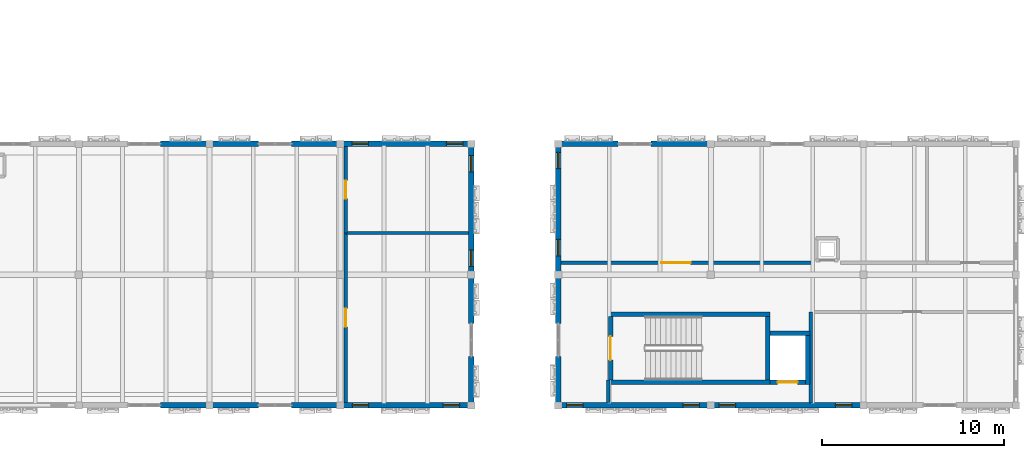
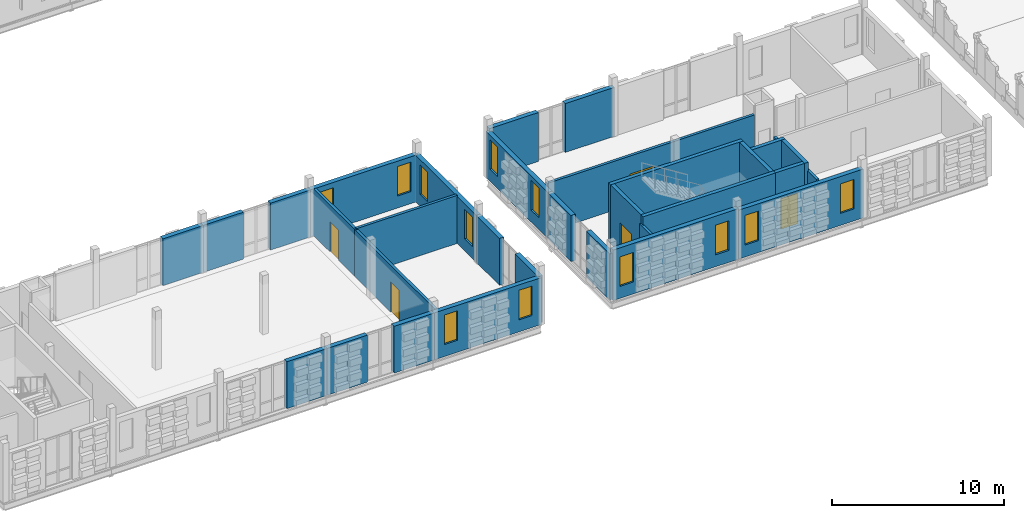
# One storey, part 55 of 81: 31 walls, 12 windows, 5 doors, 17 openings.
"""IFC4 building model written with IfcOpenShell, lengths in metres."""

from ifc_helpers import new_model, si_unit, direction, frame, frame_2d, origin, place, context, subcontext, project, spatial, rectangle, extrude, material, layer, layer_set, type_object, element, fill, save


model = new_model("IFC4")

# Units and contexts
model_context = context("Model", 3, precision=1e-05, world=origin(), true_north=direction((0.0, 1.0)))
body_context = subcontext(model_context, "Body", "Model", "MODEL_VIEW")
ifc_project = project(units=[si_unit("LENGTHUNIT", "METRE"), si_unit("AREAUNIT", "SQUARE_METRE"), si_unit("VOLUMEUNIT", "CUBIC_METRE"), si_unit("PLANEANGLEUNIT", "RADIAN"), si_unit("MASSUNIT", "GRAM", prefix="KILO")], contexts=[model_context])

# Site, building, storey
site_placement = place(None, origin())
site = spatial("IfcSite", under=ifc_project, at=site_placement, CompositionType="ELEMENT")
building_placement = place(site_placement, origin())
building = spatial("IfcBuilding", under=site, at=building_placement, Name="Kahlenmark Community Centre", CompositionType="ELEMENT")
storey_placement = place(building_placement, frame((0.0, 0.0, 9.60009765625)))
storey = spatial("IfcBuildingStorey", under=building, at=storey_placement, Name="L02", CompositionType="ELEMENT", Elevation=9.60009765625)

# Wall, opening, door
ifc_material_1 = material(Name="Concrete C35/45", Category="concrete")
ifc_layer_1 = layer(ifc_material_1, 0.25)
ifc_layer_set_1 = layer_set([ifc_layer_1], Name="Concrete C35/45")
wall_type_1 = type_object("IfcWallType", Name="WT-CORE-250", PredefinedType="SHEAR", material=ifc_layer_set_1)
wall_1_placement = place(storey_placement, frame((94.47509765625, 13.699951171875, 0.0), z_axis=(0.0, 0.0, 1.0), x_axis=(0.0, -1.0, 0.0)))
wall_1 = element("IfcWall", 1, at=wall_1_placement, inside=storey, type_object=wall_type_1, Name="Core K7 shear wall WL-CORE-K7-L02-0267", PredefinedType="SHEAR", context=body_context, shape_type="SweptSolid", body=[
    extrude(rectangle(XDim=3.5, YDim=0.25, at=frame_2d((1.75, 0.0))), origin(), (0.0, 0.0, 1.0), 4.199951171875),
])
opening_1_placement = place(wall_1_placement, frame((1.10009765625, 0.0, -0.010009765625)))
opening_1 = element("IfcOpeningElement", 2, at=opening_1_placement, cuts=wall_1, Name="Opening FD-K7-L02", PredefinedType="OPENING", context=body_context, shape_type="SweptSolid", body=[
    extrude(rectangle(XDim=1.300048828125, YDim=2.159912109375, at=frame_2d((0.64990234375, 1.080078125))), frame((0.0, 0.135009765625, 0.0), z_axis=(0.0, -1.0, 0.0), x_axis=(1.0, 0.0, 0.0)), (0.0, 0.0, 1.0), 0.27001953125),
])
ifc_material_2 = material(Name="Fire-rated steel-framed timber door FD60S", Category="steel")
door_type_1 = type_object("IfcDoorType", Name="DT-FD-K7-L02", OperationType="NOTDEFINED", PredefinedType="DOOR", material=ifc_material_2)
door_1_placement = place(opening_1_placement, frame((0.0, 0.0, 0.010009765625)))
door_1 = element("IfcDoor", 3, at=door_1_placement, inside=storey, type_object=door_type_1, Name="Core K7 stair fire door L02", OperationType="SINGLE_SWING_RIGHT", OverallHeight=2.14990234375, OverallWidth=1.300048828125, PredefinedType="DOOR", context=body_context, shape_type="SweptSolid", body=[
    extrude(rectangle(XDim=1.300048828125, YDim=2.14990234375, at=frame_2d((0.64990234375, 1.074951171875))), frame((0.0, 0.02490234375, 0.0), z_axis=(0.0, -1.0, 0.0), x_axis=(1.0, 0.0, 0.0)), (0.0, 0.0, 1.0), 0.050048828125),
])
fill(opening_1, door_1)

# Walls
for number, where, z_axis, x_axis, name in (
    (4, (94.35009765625, 10.074951171875, 0.0), (0.0, 0.0, 1.0), (1.0, 0.0, 0.0), "Core K7 shear wall WL-CORE-K7-L02-0268"),
    (5, (94.35009765625, 13.824951171875, 0.0), (0.0, 0.0, 1.0), (1.0, 0.0, 0.0), "Core K7 shear wall WL-CORE-K7-L02-0269"),
):
    element("IfcWall", number, at=place(storey_placement, frame(where, z_axis=z_axis, x_axis=x_axis)), inside=storey, type_object=wall_type_1, Name=name, PredefinedType="SHEAR", context=body_context, shape_type="SweptSolid", body=[
        extrude(rectangle(XDim=8.89990234375, YDim=0.25, at=frame_2d((4.449951171875, 0.0))), origin(), (0.0, 0.0, 1.0), 4.199951171875),
    ])
wall_2_placement = place(storey_placement, frame((103.125, 10.199951171875, 0.0), z_axis=(0.0, 0.0, 1.0), x_axis=(0.0, 1.0, 0.0)))
element("IfcWall", 6, at=wall_2_placement, inside=storey, type_object=wall_type_1, Name="Core K7 shear wall WL-CORE-K7-L02-0270", PredefinedType="SHEAR", context=body_context, shape_type="SweptSolid", body=[
    extrude(rectangle(XDim=3.5, YDim=0.25, at=frame_2d((1.75, 0.0))), origin(), (0.0, 0.0, 1.0), 4.199951171875),
])
wall_3_placement = place(storey_placement, frame((103.25, 12.784912109375, 0.0), z_axis=(0.0, 0.0, 1.0), x_axis=(1.0, 0.0, 0.0)))
element("IfcWall", 7, at=wall_3_placement, inside=storey, type_object=wall_type_1, Name="Core K7 shear wall WL-CORE-K7-L02-0271", PredefinedType="SHEAR", context=body_context, shape_type="SweptSolid", body=[
    extrude(rectangle(XDim=2.2099609375, YDim=0.25, at=frame_2d((1.10498046875, 0.0))), origin(), (0.0, 0.0, 1.0), 4.199951171875),
])
wall_4_placement = place(storey_placement, frame((105.3349609375, 9.949951171875, 0.0), z_axis=(0.0, 0.0, 1.0), x_axis=(0.0, 1.0, 0.0)))
element("IfcWall", 8, at=wall_4_placement, inside=storey, type_object=wall_type_1, Name="Core K7 shear wall WL-CORE-K7-L02-0272", PredefinedType="SHEAR", context=body_context, shape_type="SweptSolid", body=[
    extrude(rectangle(XDim=2.9599609375, YDim=0.25, at=frame_2d((1.47998046875, 0.0))), origin(), (0.0, 0.0, 1.0), 4.199951171875),
])

# Wall, opening, door
wall_5_placement = place(storey_placement, frame((103.25, 10.074951171875, 0.0), z_axis=(0.0, 0.0, 1.0), x_axis=(1.0, 0.0, 0.0)))
wall_5 = element("IfcWall", 9, at=wall_5_placement, inside=storey, type_object=wall_type_1, Name="Core K7 shear wall WL-CORE-K7-L02-0273", PredefinedType="SHEAR", context=body_context, shape_type="SweptSolid", body=[
    extrude(rectangle(XDim=1.9599609375, YDim=0.25, at=frame_2d((0.97998046875, 0.0))), origin(), (0.0, 0.0, 1.0), 4.199951171875),
])
opening_2_placement = place(wall_5_placement, frame((0.429931640625, 0.0, -0.010009765625)))
opening_2 = element("IfcOpeningElement", 10, at=opening_2_placement, cuts=wall_5, Name="Opening LD-7", PredefinedType="OPENING", context=body_context, shape_type="SweptSolid", body=[
    extrude(rectangle(XDim=1.10009765625, YDim=2.159912109375, at=frame_2d((0.550048828125, 1.080078125))), frame((0.0, 0.135009765625, 0.0), z_axis=(0.0, -1.0, 0.0), x_axis=(1.0, 0.0, 0.0)), (0.0, 0.0, 1.0), 0.27001953125),
])
ifc_material_3 = material(Name="Brushed stainless steel sliding lift landing door", Category="steel")
door_type_2 = type_object("IfcDoorType", Name="DT-LD-K7", OperationType="SLIDING_TO_LEFT", PredefinedType="DOOR", material=ifc_material_3)
door_2_placement = place(opening_2_placement, frame((0.0, 0.0, 0.010009765625)))
door_2 = element("IfcDoor", 11, at=door_2_placement, inside=storey, type_object=door_type_2, Name="Lift LF-07 sliding landing door L02", OperationType="SLIDING_TO_LEFT", OverallHeight=2.14990234375, OverallWidth=1.10009765625, PredefinedType="DOOR", context=body_context, shape_type="SweptSolid", body=[
    extrude(rectangle(XDim=1.10009765625, YDim=2.14990234375, at=frame_2d((0.550048828125, 1.074951171875))), frame((0.0, 0.02490234375, 0.0), z_axis=(0.0, -1.0, 0.0), x_axis=(1.0, 0.0, 0.0)), (0.0, 0.0, 1.0), 0.050048828125),
])
fill(opening_2, door_2)

# Walls
ifc_material_4 = material(Name="Cross-laminated timber CLT C24", Category="wood")
ifc_layer_2 = layer(ifc_material_4, 0.300048828125)
ifc_layer_set_2 = layer_set([ifc_layer_2], Name="Cross-laminated timber CLT C24")
wall_type_2 = type_object("IfcWallType", Name="WT-EW-300", PredefinedType="SOLIDWALL", material=ifc_layer_set_2)
wall_6_placement = place(storey_placement, frame((69.699951171875, 8.800048828125, 0.0), z_axis=(0.0, 0.0, 1.0), x_axis=(1.0, 0.0, 0.0)))
element("IfcWall", 12, at=wall_6_placement, inside=storey, type_object=wall_type_2, Name="Basketweave backup wall WL-EXT-L02-0472", PredefinedType="SOLIDWALL", context=body_context, shape_type="SweptSolid", body=[
    extrude(rectangle(XDim=2.699951171875, YDim=0.300048828125, at=frame_2d((1.35009765625, 0.0))), origin(), (0.0, 0.0, 1.0), 3.329833984375),
])
for number, where, z_axis, x_axis, name in (
    (13, (72.39990234375, 8.800048828125, 0.0), (0.0, 0.0, 1.0), (1.0, 0.0, 0.0), "Basketweave backup wall WL-EXT-L02-0473"),
    (14, (76.89990234375, 8.800048828125, 0.0), (0.0, 0.0, 1.0), (1.0, 0.0, 0.0), "Basketweave backup wall WL-EXT-L02-0474"),
):
    element("IfcWall", number, at=place(storey_placement, frame(where, z_axis=z_axis, x_axis=x_axis)), inside=storey, type_object=wall_type_2, Name=name, PredefinedType="SOLIDWALL", context=body_context, shape_type="SweptSolid", body=[
        extrude(rectangle(XDim=2.7001953125, YDim=0.300048828125, at=frame_2d((1.35009765625, 0.0))), origin(), (0.0, 0.0, 1.0), 3.329833984375),
    ])

# Wall, openings, windows
wall_7_placement = place(storey_placement, frame((79.60009765625, 8.800048828125, 0.0), z_axis=(0.0, 0.0, 1.0), x_axis=(1.0, 0.0, 0.0)))
wall_7 = element("IfcWall", 15, at=wall_7_placement, inside=storey, type_object=wall_type_2, Name="Exterior wall WL-EXT-L02-0475", PredefinedType="SOLIDWALL", context=body_context, shape_type="SweptSolid", body=[
    extrude(rectangle(XDim=7.199951171875, YDim=0.300048828125, at=frame_2d((3.60009765625, 0.0))), origin(), (0.0, 0.0, 1.0), 3.329833984375),
])
opening_3_placement = place(wall_7_placement, frame((0.659912109375, 0.0, 0.85009765625)))
opening_3 = element("IfcOpeningElement", 16, at=opening_3_placement, cuts=wall_7, Name="Opening W-090X210", PredefinedType="OPENING", context=body_context, shape_type="SweptSolid", body=[
    extrude(rectangle(XDim=0.89990234375, YDim=2.10009765625, at=frame_2d((0.449951171875, 1.050048828125))), frame((0.0, 0.159912109375, 0.0), z_axis=(0.0, -1.0, 0.0), x_axis=(1.0, 0.0, 0.0)), (0.0, 0.0, 1.0), 0.320068359375),
])
opening_4_placement = place(wall_7_placement, frame((5.659912109375, 0.0, 0.85009765625)))
opening_4 = element("IfcOpeningElement", 17, at=opening_4_placement, cuts=wall_7, Name="Opening W-090X210", PredefinedType="OPENING", context=body_context, shape_type="SweptSolid", body=[
    extrude(rectangle(XDim=0.89990234375, YDim=2.10009765625, at=frame_2d((0.449951171875, 1.050048828125))), frame((0.0, 0.159912109375, 0.0), z_axis=(0.0, -1.0, 0.0), x_axis=(1.0, 0.0, 0.0)), (0.0, 0.0, 1.0), 0.320068359375),
])
ifc_material_5 = material(Name="Recessed basketweave aperture triple glazing", Category="glass")
window_type = type_object("IfcWindowType", Name="WNT-090X210", PartitioningType="SINGLE_PANEL", PredefinedType="WINDOW", material=ifc_material_5)
window_1_placement = place(opening_3_placement, origin())
window_1 = element("IfcWindow", 18, at=window_1_placement, inside=storey, type_object=window_type, Name="Window W-090X210 #0277", OverallHeight=2.10009765625, OverallWidth=0.89990234375, PartitioningType="SINGLE_PANEL", PredefinedType="WINDOW", context=body_context, shape_type="SweptSolid", body=[
    extrude(rectangle(XDim=0.89990234375, YDim=2.10009765625, at=frame_2d((0.449951171875, 1.050048828125))), frame((0.0, 0.030029296875, 0.0), z_axis=(0.0, -1.0, 0.0), x_axis=(1.0, 0.0, 0.0)), (0.0, 0.0, 1.0), 0.06005859375),
])
fill(opening_3, window_1)
window_2_placement = place(opening_4_placement, origin())
window_2 = element("IfcWindow", 19, at=window_2_placement, inside=storey, type_object=window_type, Name="Window W-090X210 #0278", OverallHeight=2.10009765625, OverallWidth=0.89990234375, PartitioningType="SINGLE_PANEL", PredefinedType="WINDOW", context=body_context, shape_type="SweptSolid", body=[
    extrude(rectangle(XDim=0.89990234375, YDim=2.10009765625, at=frame_2d((0.449951171875, 1.050048828125))), frame((0.0, 0.030029296875, 0.0), z_axis=(0.0, -1.0, 0.0), x_axis=(1.0, 0.0, 0.0)), (0.0, 0.0, 1.0), 0.06005859375),
])
fill(opening_4, window_2)

# Walls
wall_8_placement = place(storey_placement, frame((72.39990234375, 23.199951171875, 0.0), z_axis=(0.0, 0.0, 1.0), x_axis=(-1.0, 0.0, 0.0)))
element("IfcWall", 20, at=wall_8_placement, inside=storey, type_object=wall_type_2, Name="Basketweave backup wall WL-EXT-L02-0480", PredefinedType="SOLIDWALL", context=body_context, shape_type="SweptSolid", body=[
    extrude(rectangle(XDim=2.699951171875, YDim=0.300048828125, at=frame_2d((1.35009765625, 0.0))), origin(), (0.0, 0.0, 1.0), 3.329833984375),
])
for number, where, z_axis, x_axis, name in (
    (21, (79.60009765625, 23.199951171875, 0.0), (0.0, 0.0, 1.0), (-1.0, 0.0, 0.0), "Basketweave backup wall WL-EXT-L02-0482"),
    (22, (75.10009765625, 23.199951171875, 0.0), (0.0, 0.0, 1.0), (-1.0, 0.0, 0.0), "Basketweave backup wall WL-EXT-L02-0483"),
):
    element("IfcWall", number, at=place(storey_placement, frame(where, z_axis=z_axis, x_axis=x_axis)), inside=storey, type_object=wall_type_2, Name=name, PredefinedType="SOLIDWALL", context=body_context, shape_type="SweptSolid", body=[
        extrude(rectangle(XDim=2.7001953125, YDim=0.300048828125, at=frame_2d((1.35009765625, 0.0))), origin(), (0.0, 0.0, 1.0), 3.329833984375),
    ])

# Wall, openings, windows
wall_9_placement = place(storey_placement, frame((86.800048828125, 23.199951171875, 0.0), z_axis=(0.0, 0.0, 1.0), x_axis=(-1.0, 0.0, 0.0)))
wall_9 = element("IfcWall", 23, at=wall_9_placement, inside=storey, type_object=wall_type_2, Name="Exterior wall WL-EXT-L02-0484", PredefinedType="SOLIDWALL", context=body_context, shape_type="SweptSolid", body=[
    extrude(rectangle(XDim=7.199951171875, YDim=0.300048828125, at=frame_2d((3.60009765625, 0.0))), origin(), (0.0, 0.0, 1.0), 3.329833984375),
])
opening_5_placement = place(wall_9_placement, frame((0.4599609375, 0.0, 0.85009765625)))
opening_5 = element("IfcOpeningElement", 24, at=opening_5_placement, cuts=wall_9, Name="Opening W-090X210", PredefinedType="OPENING", context=body_context, shape_type="SweptSolid", body=[
    extrude(rectangle(XDim=0.89990234375, YDim=2.10009765625, at=frame_2d((0.449951171875, 1.050048828125))), frame((0.0, 0.159912109375, 0.0), z_axis=(0.0, -1.0, 0.0), x_axis=(1.0, 0.0, 0.0)), (0.0, 0.0, 1.0), 0.320068359375),
])
opening_6_placement = place(wall_9_placement, frame((5.659912109375, 0.0, 0.85009765625)))
opening_6 = element("IfcOpeningElement", 25, at=opening_6_placement, cuts=wall_9, Name="Opening W-090X210", PredefinedType="OPENING", context=body_context, shape_type="SweptSolid", body=[
    extrude(rectangle(XDim=0.89990234375, YDim=2.10009765625, at=frame_2d((0.449951171875, 1.050048828125))), frame((0.0, 0.159912109375, 0.0), z_axis=(0.0, -1.0, 0.0), x_axis=(1.0, 0.0, 0.0)), (0.0, 0.0, 1.0), 0.320068359375),
])
window_3_placement = place(opening_5_placement, origin())
window_3 = element("IfcWindow", 26, at=window_3_placement, inside=storey, type_object=window_type, Name="Window W-090X210 #0279", OverallHeight=2.10009765625, OverallWidth=0.89990234375, PartitioningType="SINGLE_PANEL", PredefinedType="WINDOW", context=body_context, shape_type="SweptSolid", body=[
    extrude(rectangle(XDim=0.89990234375, YDim=2.10009765625, at=frame_2d((0.449951171875, 1.050048828125))), frame((0.0, 0.030029296875, 0.0), z_axis=(0.0, -1.0, 0.0), x_axis=(1.0, 0.0, 0.0)), (0.0, 0.0, 1.0), 0.06005859375),
])
fill(opening_5, window_3)
window_4_placement = place(opening_6_placement, origin())
window_4 = element("IfcWindow", 27, at=window_4_placement, inside=storey, type_object=window_type, Name="Window W-090X210 #0280", OverallHeight=2.10009765625, OverallWidth=0.89990234375, PartitioningType="SINGLE_PANEL", PredefinedType="WINDOW", context=body_context, shape_type="SweptSolid", body=[
    extrude(rectangle(XDim=0.89990234375, YDim=2.10009765625, at=frame_2d((0.449951171875, 1.050048828125))), frame((0.0, 0.030029296875, 0.0), z_axis=(0.0, -1.0, 0.0), x_axis=(1.0, 0.0, 0.0)), (0.0, 0.0, 1.0), 0.06005859375),
])
fill(opening_6, window_4)

# Walls
for number, where, z_axis, x_axis, name in (
    (28, (86.800048828125, 8.800048828125, 0.0), (0.0, 0.0, 1.0), (0.0, 1.0, 0.0), "Basketweave backup wall WL-EXT-L02-0488"),
    (29, (86.800048828125, 13.300048828125, 0.0), (0.0, 0.0, 1.0), (0.0, 1.0, 0.0), "Basketweave backup wall WL-EXT-L02-0489"),
):
    element("IfcWall", number, at=place(storey_placement, frame(where, z_axis=z_axis, x_axis=x_axis)), inside=storey, type_object=wall_type_2, Name=name, PredefinedType="SOLIDWALL", context=body_context, shape_type="SweptSolid", body=[
        extrude(rectangle(XDim=2.699951171875, YDim=0.300048828125, at=frame_2d((1.35009765625, 0.0))), origin(), (0.0, 0.0, 1.0), 3.329833984375),
    ])

# Wall, openings, windows
wall_10_placement = place(storey_placement, frame((86.800048828125, 16.0, 0.0), z_axis=(0.0, 0.0, 1.0), x_axis=(0.0, 1.0, 0.0)))
wall_10 = element("IfcWall", 30, at=wall_10_placement, inside=storey, type_object=wall_type_2, Name="Exterior wall WL-EXT-L02-0490", PredefinedType="SOLIDWALL", context=body_context, shape_type="SweptSolid", body=[
    extrude(rectangle(XDim=7.199951171875, YDim=0.300048828125, at=frame_2d((3.60009765625, 0.0))), origin(), (0.0, 0.0, 1.0), 3.329833984375),
])
opening_7_placement = place(wall_10_placement, frame((0.4599609375, 0.0, 0.85009765625)))
opening_7 = element("IfcOpeningElement", 31, at=opening_7_placement, cuts=wall_10, Name="Opening W-090X210", PredefinedType="OPENING", context=body_context, shape_type="SweptSolid", body=[
    extrude(rectangle(XDim=0.89990234375, YDim=2.10009765625, at=frame_2d((0.449951171875, 1.050048828125))), frame((0.0, 0.159912109375, 0.0), z_axis=(0.0, -1.0, 0.0), x_axis=(1.0, 0.0, 0.0)), (0.0, 0.0, 1.0), 0.320068359375),
])
opening_8_placement = place(wall_10_placement, frame((5.659912109375, 0.0, 0.85009765625)))
opening_8 = element("IfcOpeningElement", 32, at=opening_8_placement, cuts=wall_10, Name="Opening W-090X210", PredefinedType="OPENING", context=body_context, shape_type="SweptSolid", body=[
    extrude(rectangle(XDim=0.89990234375, YDim=2.10009765625, at=frame_2d((0.449951171875, 1.050048828125))), frame((0.0, 0.159912109375, 0.0), z_axis=(0.0, -1.0, 0.0), x_axis=(1.0, 0.0, 0.0)), (0.0, 0.0, 1.0), 0.320068359375),
])
window_5_placement = place(opening_7_placement, origin())
window_5 = element("IfcWindow", 33, at=window_5_placement, inside=storey, type_object=window_type, Name="Window W-090X210 #0283", OverallHeight=2.10009765625, OverallWidth=0.89990234375, PartitioningType="SINGLE_PANEL", PredefinedType="WINDOW", context=body_context, shape_type="SweptSolid", body=[
    extrude(rectangle(XDim=0.89990234375, YDim=2.10009765625, at=frame_2d((0.449951171875, 1.050048828125))), frame((0.0, 0.030029296875, 0.0), z_axis=(0.0, -1.0, 0.0), x_axis=(1.0, 0.0, 0.0)), (0.0, 0.0, 1.0), 0.06005859375),
])
fill(opening_7, window_5)
window_6_placement = place(opening_8_placement, origin())
window_6 = element("IfcWindow", 34, at=window_6_placement, inside=storey, type_object=window_type, Name="Window W-090X210 #0284", OverallHeight=2.10009765625, OverallWidth=0.89990234375, PartitioningType="SINGLE_PANEL", PredefinedType="WINDOW", context=body_context, shape_type="SweptSolid", body=[
    extrude(rectangle(XDim=0.89990234375, YDim=2.10009765625, at=frame_2d((0.449951171875, 1.050048828125))), frame((0.0, 0.030029296875, 0.0), z_axis=(0.0, -1.0, 0.0), x_axis=(1.0, 0.0, 0.0)), (0.0, 0.0, 1.0), 0.06005859375),
])
fill(opening_8, window_6)

wall_11_placement = place(storey_placement, frame((91.60009765625, 8.800048828125, 0.0), z_axis=(0.0, 0.0, 1.0), x_axis=(1.0, 0.0, 0.0)))
wall_11 = element("IfcWall", 35, at=wall_11_placement, inside=storey, type_object=wall_type_2, Name="Exterior wall WL-EXT-L02-0531", PredefinedType="SOLIDWALL", context=body_context, shape_type="SweptSolid", body=[
    extrude(rectangle(XDim=8.39990234375, YDim=0.300048828125, at=frame_2d((4.199951171875, 0.0))), origin(), (0.0, 0.0, 1.0), 3.58984375),
])
opening_9_placement = place(wall_11_placement, frame((0.4599609375, 0.0, 0.85009765625)))
opening_9 = element("IfcOpeningElement", 36, at=opening_9_placement, cuts=wall_11, Name="Opening W-090X210", PredefinedType="OPENING", context=body_context, shape_type="SweptSolid", body=[
    extrude(rectangle(XDim=0.89990234375, YDim=2.10009765625, at=frame_2d((0.449951171875, 1.050048828125))), frame((0.0, 0.159912109375, 0.0), z_axis=(0.0, -1.0, 0.0), x_axis=(1.0, 0.0, 0.0)), (0.0, 0.0, 1.0), 0.320068359375),
])
opening_10_placement = place(wall_11_placement, frame((6.860107421875, 0.0, 0.85009765625)))
opening_10 = element("IfcOpeningElement", 37, at=opening_10_placement, cuts=wall_11, Name="Opening W-090X210", PredefinedType="OPENING", context=body_context, shape_type="SweptSolid", body=[
    extrude(rectangle(XDim=0.89990234375, YDim=2.10009765625, at=frame_2d((0.449951171875, 1.050048828125))), frame((0.0, 0.159912109375, 0.0), z_axis=(0.0, -1.0, 0.0), x_axis=(1.0, 0.0, 0.0)), (0.0, 0.0, 1.0), 0.320068359375),
])
window_7_placement = place(opening_9_placement, origin())
window_7 = element("IfcWindow", 38, at=window_7_placement, inside=storey, type_object=window_type, Name="Window W-090X210 #0329", OverallHeight=2.10009765625, OverallWidth=0.89990234375, PartitioningType="SINGLE_PANEL", PredefinedType="WINDOW", context=body_context, shape_type="SweptSolid", body=[
    extrude(rectangle(XDim=0.89990234375, YDim=2.10009765625, at=frame_2d((0.449951171875, 1.050048828125))), frame((0.0, 0.030029296875, 0.0), z_axis=(0.0, -1.0, 0.0), x_axis=(1.0, 0.0, 0.0)), (0.0, 0.0, 1.0), 0.06005859375),
])
fill(opening_9, window_7)
window_8_placement = place(opening_10_placement, origin())
window_8 = element("IfcWindow", 39, at=window_8_placement, inside=storey, type_object=window_type, Name="Window W-090X210 #0330", OverallHeight=2.10009765625, OverallWidth=0.89990234375, PartitioningType="SINGLE_PANEL", PredefinedType="WINDOW", context=body_context, shape_type="SweptSolid", body=[
    extrude(rectangle(XDim=0.89990234375, YDim=2.10009765625, at=frame_2d((0.449951171875, 1.050048828125))), frame((0.0, 0.030029296875, 0.0), z_axis=(0.0, -1.0, 0.0), x_axis=(1.0, 0.0, 0.0)), (0.0, 0.0, 1.0), 0.06005859375),
])
fill(opening_10, window_8)

wall_12_placement = place(storey_placement, frame((100.0, 8.800048828125, 0.0), z_axis=(0.0, 0.0, 1.0), x_axis=(1.0, 0.0, 0.0)))
wall_12 = element("IfcWall", 40, at=wall_12_placement, inside=storey, type_object=wall_type_2, Name="Exterior wall WL-EXT-L02-0532", PredefinedType="SOLIDWALL", context=body_context, shape_type="SweptSolid", body=[
    extrude(rectangle(XDim=8.39990234375, YDim=0.300048828125, at=frame_2d((4.199951171875, 0.0))), origin(), (0.0, 0.0, 1.0), 3.469970703125),
])
opening_11_placement = place(wall_12_placement, frame((0.4599609375, 0.0, 0.85009765625)))
opening_11 = element("IfcOpeningElement", 41, at=opening_11_placement, cuts=wall_12, Name="Opening W-090X210", PredefinedType="OPENING", context=body_context, shape_type="SweptSolid", body=[
    extrude(rectangle(XDim=0.89990234375, YDim=2.10009765625, at=frame_2d((0.449951171875, 1.050048828125))), frame((0.0, 0.159912109375, 0.0), z_axis=(0.0, -1.0, 0.0), x_axis=(1.0, 0.0, 0.0)), (0.0, 0.0, 1.0), 0.320068359375),
])
opening_12_placement = place(wall_12_placement, frame((6.860107421875, 0.0, 0.85009765625)))
opening_12 = element("IfcOpeningElement", 42, at=opening_12_placement, cuts=wall_12, Name="Opening W-090X210", PredefinedType="OPENING", context=body_context, shape_type="SweptSolid", body=[
    extrude(rectangle(XDim=0.89990234375, YDim=2.10009765625, at=frame_2d((0.449951171875, 1.050048828125))), frame((0.0, 0.159912109375, 0.0), z_axis=(0.0, -1.0, 0.0), x_axis=(1.0, 0.0, 0.0)), (0.0, 0.0, 1.0), 0.320068359375),
])
window_9_placement = place(opening_11_placement, origin())
window_9 = element("IfcWindow", 43, at=window_9_placement, inside=storey, type_object=window_type, Name="Window W-090X210 #0331", OverallHeight=2.10009765625, OverallWidth=0.89990234375, PartitioningType="SINGLE_PANEL", PredefinedType="WINDOW", context=body_context, shape_type="SweptSolid", body=[
    extrude(rectangle(XDim=0.89990234375, YDim=2.10009765625, at=frame_2d((0.449951171875, 1.050048828125))), frame((0.0, 0.030029296875, 0.0), z_axis=(0.0, -1.0, 0.0), x_axis=(1.0, 0.0, 0.0)), (0.0, 0.0, 1.0), 0.06005859375),
])
fill(opening_11, window_9)
window_10_placement = place(opening_12_placement, origin())
window_10 = element("IfcWindow", 44, at=window_10_placement, inside=storey, type_object=window_type, Name="Window W-090X210 #0332", OverallHeight=2.10009765625, OverallWidth=0.89990234375, PartitioningType="SINGLE_PANEL", PredefinedType="WINDOW", context=body_context, shape_type="SweptSolid", body=[
    extrude(rectangle(XDim=0.89990234375, YDim=2.10009765625, at=frame_2d((0.449951171875, 1.050048828125))), frame((0.0, 0.030029296875, 0.0), z_axis=(0.0, -1.0, 0.0), x_axis=(1.0, 0.0, 0.0)), (0.0, 0.0, 1.0), 0.06005859375),
])
fill(opening_12, window_10)

# Walls
wall_13_placement = place(storey_placement, frame((100.0, 23.199951171875, 0.0), z_axis=(0.0, 0.0, 1.0), x_axis=(-1.0, 0.0, 0.0)))
element("IfcWall", 45, at=wall_13_placement, inside=storey, type_object=wall_type_2, Name="Basketweave backup wall WL-EXT-L02-0535", PredefinedType="SOLIDWALL", context=body_context, shape_type="SweptSolid", body=[
    extrude(rectangle(XDim=3.300048828125, YDim=0.300048828125, at=frame_2d((1.64990234375, 0.0))), origin(), (0.0, 0.0, 1.0), 3.469970703125),
])
wall_14_placement = place(storey_placement, frame((94.89990234375, 23.199951171875, 0.0), z_axis=(0.0, 0.0, 1.0), x_axis=(-1.0, 0.0, 0.0)))
element("IfcWall", 46, at=wall_14_placement, inside=storey, type_object=wall_type_2, Name="Basketweave backup wall WL-EXT-L02-0536", PredefinedType="SOLIDWALL", context=body_context, shape_type="SweptSolid", body=[
    extrude(rectangle(XDim=3.2998046875, YDim=0.300048828125, at=frame_2d((1.64990234375, 0.0))), origin(), (0.0, 0.0, 1.0), 3.469970703125),
])
for number, where, z_axis, x_axis, name in (
    (47, (91.60009765625, 16.0, 0.0), (0.0, 0.0, 1.0), (0.0, -1.0, 0.0), "Basketweave backup wall WL-EXT-L02-0540"),
    (48, (91.60009765625, 11.5, 0.0), (0.0, 0.0, 1.0), (0.0, -1.0, 0.0), "Basketweave backup wall WL-EXT-L02-0541"),
):
    element("IfcWall", number, at=place(storey_placement, frame(where, z_axis=z_axis, x_axis=x_axis)), inside=storey, type_object=wall_type_2, Name=name, PredefinedType="SOLIDWALL", context=body_context, shape_type="SweptSolid", body=[
        extrude(rectangle(XDim=2.699951171875, YDim=0.300048828125, at=frame_2d((1.35009765625, 0.0))), origin(), (0.0, 0.0, 1.0), 3.27001953125),
    ])

# Wall, openings, windows
wall_15_placement = place(storey_placement, frame((91.60009765625, 23.199951171875, 0.0), z_axis=(0.0, 0.0, 1.0), x_axis=(0.0, -1.0, 0.0)))
wall_15 = element("IfcWall", 49, at=wall_15_placement, inside=storey, type_object=wall_type_2, Name="Exterior wall WL-EXT-L02-0542", PredefinedType="SOLIDWALL", context=body_context, shape_type="SweptSolid", body=[
    extrude(rectangle(XDim=7.199951171875, YDim=0.300048828125, at=frame_2d((3.60009765625, 0.0))), origin(), (0.0, 0.0, 1.0), 3.27001953125),
])
opening_13_placement = place(wall_15_placement, frame((0.4599609375, 0.0, 0.85009765625)))
opening_13 = element("IfcOpeningElement", 50, at=opening_13_placement, cuts=wall_15, Name="Opening W-090X210", PredefinedType="OPENING", context=body_context, shape_type="SweptSolid", body=[
    extrude(rectangle(XDim=0.89990234375, YDim=2.10009765625, at=frame_2d((0.449951171875, 1.050048828125))), frame((0.0, 0.159912109375, 0.0), z_axis=(0.0, -1.0, 0.0), x_axis=(1.0, 0.0, 0.0)), (0.0, 0.0, 1.0), 0.320068359375),
])
opening_14_placement = place(wall_15_placement, frame((5.260009765625, 0.0, 0.85009765625)))
opening_14 = element("IfcOpeningElement", 51, at=opening_14_placement, cuts=wall_15, Name="Opening W-090X210", PredefinedType="OPENING", context=body_context, shape_type="SweptSolid", body=[
    extrude(rectangle(XDim=0.89990234375, YDim=2.10009765625, at=frame_2d((0.449951171875, 1.050048828125))), frame((0.0, 0.159912109375, 0.0), z_axis=(0.0, -1.0, 0.0), x_axis=(1.0, 0.0, 0.0)), (0.0, 0.0, 1.0), 0.320068359375),
])
window_11_placement = place(opening_13_placement, origin())
window_11 = element("IfcWindow", 52, at=window_11_placement, inside=storey, type_object=window_type, Name="Window W-090X210 #0335", OverallHeight=2.10009765625, OverallWidth=0.89990234375, PartitioningType="SINGLE_PANEL", PredefinedType="WINDOW", context=body_context, shape_type="SweptSolid", body=[
    extrude(rectangle(XDim=0.89990234375, YDim=2.10009765625, at=frame_2d((0.449951171875, 1.050048828125))), frame((0.0, 0.030029296875, 0.0), z_axis=(0.0, -1.0, 0.0), x_axis=(1.0, 0.0, 0.0)), (0.0, 0.0, 1.0), 0.06005859375),
])
fill(opening_13, window_11)
window_12_placement = place(opening_14_placement, origin())
window_12 = element("IfcWindow", 53, at=window_12_placement, inside=storey, type_object=window_type, Name="Window W-090X210 #0336", OverallHeight=2.10009765625, OverallWidth=0.89990234375, PartitioningType="SINGLE_PANEL", PredefinedType="WINDOW", context=body_context, shape_type="SweptSolid", body=[
    extrude(rectangle(XDim=0.89990234375, YDim=2.10009765625, at=frame_2d((0.449951171875, 1.050048828125))), frame((0.0, 0.030029296875, 0.0), z_axis=(0.0, -1.0, 0.0), x_axis=(1.0, 0.0, 0.0)), (0.0, 0.0, 1.0), 0.06005859375),
])
fill(opening_14, window_12)

# Wall, opening, door
ifc_material_6 = material(Name="Gypsum plasterboard partition", Category="gypsum")
ifc_layer_3 = layer(ifc_material_6, 0.179931640625)
ifc_layer_set_3 = layer_set([ifc_layer_3], Name="Gypsum plasterboard partition")
wall_type_3 = type_object("IfcWallType", Name="WT-PW-180", PredefinedType="PARTITIONING", material=ifc_layer_set_3)
wall_16_placement = place(storey_placement, frame((79.89990234375, 8.9599609375, 0.0), z_axis=(0.0, 0.0, 1.0), x_axis=(0.0, 1.0, 0.0)))
wall_16 = element("IfcWall", 54, at=wall_16_placement, inside=storey, type_object=wall_type_3, Name="Interior partition WL-INT-L02-0174", PredefinedType="PARTITIONING", context=body_context, shape_type="SweptSolid", body=[
    extrude(rectangle(XDim=9.340087890625, YDim=0.179931640625, at=frame_2d((4.669921875, 0.0))), origin(), (0.0, 0.0, 1.0), 3.329833984375),
])
opening_15_placement = place(wall_16_placement, frame((4.169921875, 0.0, -0.010009765625)))
opening_15 = element("IfcOpeningElement", 55, at=opening_15_placement, cuts=wall_16, Name="Opening D-L02-102", PredefinedType="OPENING", context=body_context, shape_type="SweptSolid", body=[
    extrude(rectangle(XDim=1.0, YDim=2.159912109375, at=frame_2d((0.5, 1.080078125))), frame((0.0, 0.099853515625, 0.0), z_axis=(0.0, -1.0, 0.0), x_axis=(1.0, 0.0, 0.0)), (0.0, 0.0, 1.0), 0.199951171875),
])
ifc_material_7 = material(Name="Oak timber veneer door leaf", Category="wood")
door_type_3 = type_object("IfcDoorType", Name="DT-INT-100X215", OperationType="NOTDEFINED", PredefinedType="DOOR", material=ifc_material_7)
door_3_placement = place(opening_15_placement, frame((1.0, 0.0, 0.010009765625), z_axis=(0.0, 0.0, 1.0), x_axis=(-1.0, 0.0, 0.0)))
door_3 = element("IfcDoor", 56, at=door_3_placement, inside=storey, type_object=door_type_3, Name="Interior door D-L02-102", OperationType="SINGLE_SWING_LEFT", OverallHeight=2.14990234375, OverallWidth=1.0, PredefinedType="DOOR", context=body_context, shape_type="SweptSolid", body=[
    extrude(rectangle(XDim=1.0, YDim=2.14990234375, at=frame_2d((0.5, 1.074951171875))), frame((0.0, 0.02490234375, 0.0), z_axis=(0.0, -1.0, 0.0), x_axis=(1.0, 0.0, 0.0)), (0.0, 0.0, 1.0), 0.050048828125),
])
fill(opening_15, door_3)

wall_17_placement = place(storey_placement, frame((79.89990234375, 18.300048828125, 0.0), z_axis=(0.0, 0.0, 1.0), x_axis=(0.0, 1.0, 0.0)))
wall_17 = element("IfcWall", 57, at=wall_17_placement, inside=storey, type_object=wall_type_3, Name="Interior partition WL-INT-L02-0175", PredefinedType="PARTITIONING", context=body_context, shape_type="SweptSolid", body=[
    extrude(rectangle(XDim=4.760009765625, YDim=0.179931640625, at=frame_2d((2.3798828125, 0.0))), origin(), (0.0, 0.0, 1.0), 3.329833984375),
])
opening_16_placement = place(wall_17_placement, frame((1.8798828125, 0.0, -0.010009765625)))
opening_16 = element("IfcOpeningElement", 58, at=opening_16_placement, cuts=wall_17, Name="Opening D-L02-103", PredefinedType="OPENING", context=body_context, shape_type="SweptSolid", body=[
    extrude(rectangle(XDim=1.0, YDim=2.159912109375, at=frame_2d((0.5, 1.080078125))), frame((0.0, 0.099853515625, 0.0), z_axis=(0.0, -1.0, 0.0), x_axis=(1.0, 0.0, 0.0)), (0.0, 0.0, 1.0), 0.199951171875),
])
door_4_placement = place(opening_16_placement, frame((0.0, 0.0, 0.010009765625)))
door_4 = element("IfcDoor", 59, at=door_4_placement, inside=storey, type_object=door_type_3, Name="Interior door D-L02-103", OperationType="SINGLE_SWING_RIGHT", OverallHeight=2.14990234375, OverallWidth=1.0, PredefinedType="DOOR", context=body_context, shape_type="SweptSolid", body=[
    extrude(rectangle(XDim=1.0, YDim=2.14990234375, at=frame_2d((0.5, 1.074951171875))), frame((0.0, 0.02490234375, 0.0), z_axis=(0.0, -1.0, 0.0), x_axis=(1.0, 0.0, 0.0)), (0.0, 0.0, 1.0), 0.050048828125),
])
fill(opening_16, door_4)

# Walls
wall_18_placement = place(storey_placement, frame((79.89990234375, 18.300048828125, 0.0), z_axis=(0.0, 0.0, 1.0), x_axis=(1.0, 0.0, 0.0)))
element("IfcWall", 60, at=wall_18_placement, inside=storey, type_object=wall_type_3, Name="Interior partition WL-INT-L02-0176", PredefinedType="PARTITIONING", context=body_context, shape_type="SweptSolid", body=[
    extrude(rectangle(XDim=6.760009765625, YDim=0.179931640625, at=frame_2d((3.3798828125, 0.0))), origin(), (0.0, 0.0, 1.0), 3.409912109375),
])
wall_19_placement = place(storey_placement, frame((94.35009765625, 8.9599609375, 0.0), z_axis=(0.0, 0.0, 1.0), x_axis=(0.0, 1.0, 0.0)))
element("IfcWall", 61, at=wall_19_placement, inside=storey, type_object=wall_type_3, Name="Interior partition WL-INT-L02-0177", PredefinedType="PARTITIONING", context=body_context, shape_type="SweptSolid", body=[
    extrude(rectangle(XDim=1.239990234375, YDim=0.179931640625, at=frame_2d((0.6201171875, 0.0))), origin(), (0.0, 0.0, 1.0), 3.58984375),
])
wall_20_placement = place(storey_placement, frame((105.5, 8.93994140625, 0.0), z_axis=(0.0, 0.0, 1.0), x_axis=(0.0, 1.0, 0.0)))
element("IfcWall", 62, at=wall_20_placement, inside=storey, type_object=wall_type_3, Name="Interior partition WL-INT-L02-0178", PredefinedType="PARTITIONING", context=body_context, shape_type="SweptSolid", body=[
    extrude(rectangle(XDim=5.010009765625, YDim=0.179931640625, at=frame_2d((2.5048828125, 0.0))), origin(), (0.0, 0.0, 1.0), 3.58984375),
])

# Wall, opening, door
wall_21_placement = place(storey_placement, frame((91.739990234375, 16.64990234375, 0.0), z_axis=(0.0, 0.0, 1.0), x_axis=(1.0, 0.0, 0.0)))
wall_21 = element("IfcWall", 63, at=wall_21_placement, inside=storey, type_object=wall_type_3, Name="Interior partition WL-INT-L02-0180", PredefinedType="PARTITIONING", context=body_context, shape_type="SweptSolid", body=[
    extrude(rectangle(XDim=13.909912109375, YDim=0.179931640625, at=frame_2d((6.955078125, 0.0))), origin(), (0.0, 0.0, 1.0), 3.469970703125),
])
opening_17_placement = place(wall_21_placement, frame((5.5400390625, 0.0, -0.010009765625)))
opening_17 = element("IfcOpeningElement", 64, at=opening_17_placement, cuts=wall_21, Name="Opening D-L02-105", PredefinedType="OPENING", context=body_context, shape_type="SweptSolid", body=[
    extrude(rectangle(XDim=1.60009765625, YDim=2.2099609375, at=frame_2d((0.800048828125, 1.10498046875))), frame((0.0, 0.099853515625, 0.0), z_axis=(0.0, -1.0, 0.0), x_axis=(1.0, 0.0, 0.0)), (0.0, 0.0, 1.0), 0.199951171875),
])
ifc_material_8 = material(Name="Oak double-leaf acoustic door")
door_type_4 = type_object("IfcDoorType", Name="DT-DBL-160X220", OperationType="NOTDEFINED", PredefinedType="DOOR", material=ifc_material_8)
door_5_placement = place(opening_17_placement, frame((1.60009765625, 0.0, 0.010009765625), z_axis=(0.0, 0.0, 1.0), x_axis=(-1.0, 0.0, 0.0)))
door_5 = element("IfcDoor", 65, at=door_5_placement, inside=storey, type_object=door_type_4, Name="Interior door D-L02-105", OperationType="DOUBLE_SWING_LEFT", OverallHeight=2.199951171875, OverallWidth=1.60009765625, PredefinedType="DOOR", context=body_context, shape_type="SweptSolid", body=[
    extrude(rectangle(XDim=1.60009765625, YDim=2.199951171875, at=frame_2d((0.800048828125, 1.10009765625))), frame((0.0, 0.02490234375, 0.0), z_axis=(0.0, -1.0, 0.0), x_axis=(1.0, 0.0, 0.0)), (0.0, 0.0, 1.0), 0.050048828125),
])
fill(opening_17, door_5)

save(model, "model.ifc")
